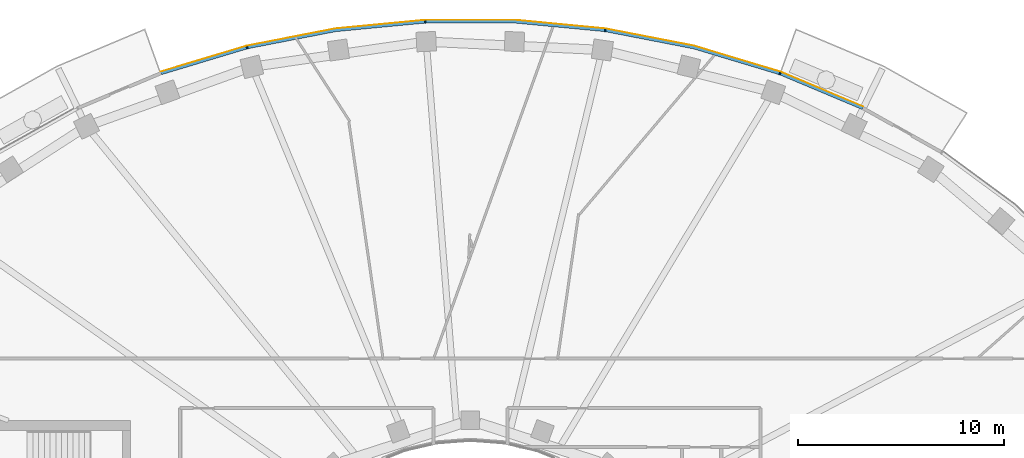
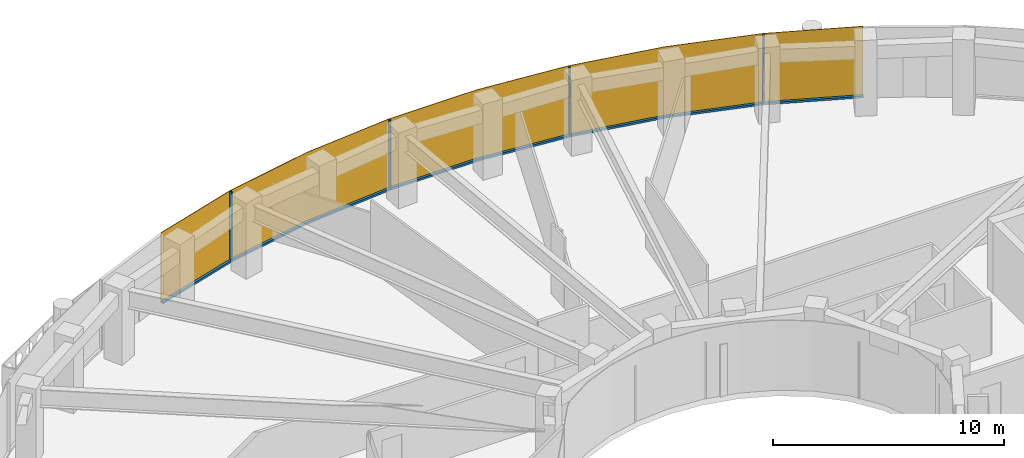
# One storey, part 12 of 15: 9 members, 1 curtain wall.
"""IFC4 building model written with IfcOpenShell, lengths in metres."""

import ifcopenshell
import ifcopenshell.guid

model = None  # the IFC model being written
_history = None  # IfcOwnerHistory: only IFC2X3 demands one
_inside = {}  # id of a spatial element -> (the spatial element, [elements in it])
_under = {}  # id of a project, library or spatial element -> (it, [spatial elements below it])
_declared = {}  # id of a project -> (the project, [libraries it declares])
_typed = {}  # id of a type object -> (the type object, [elements of that type])
_made_of = {}  # id of a material, layer set ... -> (it, [elements and type objects made of it])


def new_model(schema):
    """Start an empty IFC model of exactly this schema.

    Asked for "IFC4X3", IfcOpenShell would pick the latest addendum, in which some entities
    have other attributes; the version numbers below select the first issue.
    IFC2X3 requires an IfcOwnerHistory on every rooted entity: one is made here for all.
    """
    global model, _history
    if schema == "IFC4X3":
        model = ifcopenshell.file(schema_version=(4, 3, 0, 0))
    else:
        model = ifcopenshell.file(schema=schema)
    _inside.clear()
    _under.clear()
    _declared.clear()
    _typed.clear()
    _made_of.clear()
    _history = None
    if model.schema == "IFC2X3":
        org = make("IfcOrganization", Name="unknown")
        user = make(
            "IfcPersonAndOrganization",
            ThePerson=make("IfcPerson", FamilyName="unknown"),
            TheOrganization=org,
        )
        app = make(
            "IfcApplication",
            ApplicationDeveloper=org,
            Version="unknown",
            ApplicationFullName="unknown",
            ApplicationIdentifier="unknown",
        )
        _history = make(
            "IfcOwnerHistory",
            OwningUser=user,
            OwningApplication=app,
            ChangeAction="ADDED",
            CreationDate=0,
        )
    return model


def make(cls, **values):
    """One entity of the class cls with the attributes given. An attribute that is None is left unset."""
    return model.create_entity(
        cls, **{name: value for name, value in values.items() if value is not None}
    )


def rooted(cls, **values):
    """An entity with a GlobalId (a new one), such as an element, a storey or a relation."""
    return make(cls, GlobalId=ifcopenshell.guid.new(), OwnerHistory=_history, **values)


def si_unit(unit_type, name, prefix=None):
    """IfcSIUnit, for example si_unit("LENGTHUNIT", "METRE", prefix="MILLI")."""
    return make("IfcSIUnit", UnitType=unit_type, Prefix=prefix, Name=name)


def assignment(units):
    """IfcUnitAssignment: the units of a project."""
    return None if units is None else make("IfcUnitAssignment", Units=units)


def point(xyz):
    """IfcCartesianPoint."""
    return None if xyz is None else make("IfcCartesianPoint", Coordinates=xyz)


def direction(xyz):
    """IfcDirection."""
    return None if xyz is None else make("IfcDirection", DirectionRatios=xyz)


def frame(location, z_axis=None, x_axis=None):
    """IfcAxis2Placement3D, a coordinate frame: its origin and axes. An axis left out is left unset."""
    return make(
        "IfcAxis2Placement3D",
        Location=point(location),
        Axis=direction(z_axis),
        RefDirection=direction(x_axis),
    )


def frame_2d(location, x_axis=None):
    """IfcAxis2Placement2D, a coordinate frame in the plane: its origin and x axis."""
    return make(
        "IfcAxis2Placement2D", Location=point(location), RefDirection=direction(x_axis)
    )


def origin():
    """The frame at (0, 0, 0) with its axes left unset."""
    return frame((0.0, 0.0, 0.0))


def origin_2d():
    """The frame at (0, 0) in the plane with its x axis left unset."""
    return frame_2d((0.0, 0.0))


def place(relative_to, where):
    """IfcLocalPlacement: puts the frame where relative to a parent placement (None: the world)."""
    return make(
        "IfcLocalPlacement", PlacementRelTo=relative_to, RelativePlacement=where
    )


def context(
    kind, dimensions, precision=None, world=None, true_north=None, identifier=None
):
    """IfcGeometricRepresentationContext, for example the 3D "Model" context."""
    return make(
        "IfcGeometricRepresentationContext",
        ContextIdentifier=identifier,
        ContextType=kind,
        CoordinateSpaceDimension=dimensions,
        Precision=precision,
        WorldCoordinateSystem=world,
        TrueNorth=true_north,
    )


def subcontext(parent, identifier, kind, view, scale=None):
    """IfcGeometricRepresentationSubContext, for example "Body" below "Model"."""
    return make(
        "IfcGeometricRepresentationSubContext",
        ContextIdentifier=identifier,
        ContextType=kind,
        ParentContext=parent,
        TargetScale=scale,
        TargetView=view,
    )


def project(units=None, contexts=None):
    """IfcProject with its units and contexts."""
    return rooted(
        "IfcProject",
        Name="project",
        RepresentationContexts=contexts,
        UnitsInContext=assignment(units),
    )


def spatial(cls, under=None, at=None, **own):
    """A site, building, storey or space (cls), placed at a placement, below another one or the project."""
    s = rooted(cls, ObjectPlacement=at, **own)
    if under is not None:
        _under.setdefault(under.id(), (under, []))[1].append(s)
    return s


def polyline(points):
    """IfcPolyline through the points."""
    return make("IfcPolyline", Points=[point(p) for p in points])


def profile(cls, at=None, kind="AREA", **sizes):
    """A parametric profile (cls). Its sizes go by their IFC names, for example OverallWidth=200.0."""
    return make(cls, ProfileType=kind, Position=at, **sizes)


def rectangle(**sizes):
    """IfcRectangleProfileDef."""
    return profile("IfcRectangleProfileDef", **sizes)


def outline(outer, holes=None, kind="AREA"):
    """IfcArbitraryClosedProfileDef: a profile drawn as a closed curve; with holes, ...WithVoids."""
    if holes is None:
        return make("IfcArbitraryClosedProfileDef", ProfileType=kind, OuterCurve=outer)
    return make(
        "IfcArbitraryProfileDefWithVoids",
        ProfileType=kind,
        OuterCurve=outer,
        InnerCurves=holes,
    )


def extrude(swept, where, along, depth):
    """IfcExtrudedAreaSolid: the profile swept, set in the frame where, extruded along a direction by depth."""
    return make(
        "IfcExtrudedAreaSolid",
        SweptArea=swept,
        Position=where,
        ExtrudedDirection=direction(along),
        Depth=depth,
    )


def shape(context_of_items, identifier, shape_type, items):
    """IfcShapeRepresentation: the items that make up one representation, for example the "Body"."""
    return make(
        "IfcShapeRepresentation",
        ContextOfItems=context_of_items,
        RepresentationIdentifier=identifier,
        RepresentationType=shape_type,
        Items=items,
    )


def material(Name=None, Category=None):
    """IfcMaterial."""
    return make("IfcMaterial", Name=Name, Category=Category)


def layer(
    of_material, thickness, ventilated=None, Name=None, Category=None, Priority=None
):
    """IfcMaterialLayer: one layer of a wall or slab, of a material (None: an air gap)."""
    return make(
        "IfcMaterialLayer",
        Material=of_material,
        LayerThickness=thickness,
        IsVentilated=ventilated,
        Name=Name,
        Category=Category,
        Priority=Priority,
    )


def layer_set(layers, Name=None):
    """IfcMaterialLayerSet."""
    return make("IfcMaterialLayerSet", MaterialLayers=layers, LayerSetName=Name)


def material_profile(
    of_material, cross_section, Name=None, Category=None, Priority=None
):
    """IfcMaterialProfile: a cross section and its material."""
    return make(
        "IfcMaterialProfile",
        Name=Name,
        Material=of_material,
        Profile=cross_section,
        Priority=Priority,
        Category=Category,
    )


def profile_set(profiles, Name=None, composite=None):
    """IfcMaterialProfileSet."""
    return make(
        "IfcMaterialProfileSet",
        Name=Name,
        MaterialProfiles=profiles,
        CompositeProfile=composite,
    )


def made_of(thing, what):
    """Note that an element or type object is made of a material, layer set ...; save() writes the relation."""
    if what is not None:
        _made_of.setdefault(what.id(), (what, []))[1].append(thing)
    return thing


def type_object(cls, material=None, **own):
    """A type object (cls), such as IfcWallType, which elements share."""
    return made_of(rooted(cls, **own), material)


def element(
    cls,
    number,
    at=None,
    inside=None,
    cuts=None,
    type_object=None,
    material=None,
    context=None,
    identifier="Body",
    shape_type=None,
    held_by="IfcProductDefinitionShape",
    body=None,
    shapes=None,
    **own,
):
    """One element of the class cls, such as IfcWall. Its Tag is "e" and its number.

    at: its placement. inside: the storey or other place that contains it. cuts: it is an
    opening in that element (IfcRelVoidsElement). A single representation is given by context,
    identifier, shape_type and body (its items); several are given by shapes. held_by: the class
    of the entity that holds the representations. save() writes the other relations.
    """
    e = rooted(cls, Tag="e%d" % number, ObjectPlacement=at, **own)
    if body is not None:
        shapes = [shape(context, identifier, shape_type, body)]
    if shapes is not None:
        e.Representation = make(held_by, Representations=shapes)
    if inside is not None:
        _inside.setdefault(inside.id(), (inside, []))[1].append(e)
    if cuts is not None:
        rooted(
            "IfcRelVoidsElement", RelatingBuildingElement=cuts, RelatedOpeningElement=e
        )
    if type_object is not None:
        _typed.setdefault(type_object.id(), (type_object, []))[1].append(e)
    return made_of(e, material)


def aggregate(whole, parts):
    """IfcRelAggregates: a whole, such as a stair, and the parts it consists of."""
    return rooted("IfcRelAggregates", RelatingObject=whole, RelatedObjects=parts)


def save(model, path):
    """Write the relations noted so far, then the file.

    IfcRelAggregates (storeys below a building ...), IfcRelContainedInSpatialStructure (elements
    in a storey), IfcRelDefinesByType, IfcRelAssociatesMaterial and IfcRelDeclares: one each for
    every whole, place, type object, material and project.
    """
    for whole, parts in _under.values():
        aggregate(whole, parts)
    for where, things in _inside.values():
        rooted(
            "IfcRelContainedInSpatialStructure",
            RelatedElements=things,
            RelatingStructure=where,
        )
    for kind, things in _typed.values():
        rooted("IfcRelDefinesByType", RelatedObjects=things, RelatingType=kind)
    for what, things in _made_of.values():
        rooted("IfcRelAssociatesMaterial", RelatedObjects=things, RelatingMaterial=what)
    for by, libraries in _declared.values():
        rooted("IfcRelDeclares", RelatingContext=by, RelatedDefinitions=libraries)
    model.write(path)


model = new_model("IFC4")

# Units and contexts
model_context = context("Model", 3, precision=1e-05, world=origin(), true_north=direction((0.0, 1.0)))
body_context = subcontext(model_context, "Body", "Model", "MODEL_VIEW")
ifc_project = project(units=[si_unit("LENGTHUNIT", "METRE"), si_unit("AREAUNIT", "SQUARE_METRE"), si_unit("VOLUMEUNIT", "CUBIC_METRE"), si_unit("PLANEANGLEUNIT", "RADIAN"), si_unit("MASSUNIT", "GRAM", prefix="KILO")], contexts=[model_context])

# Member
ifc_material_1 = material(Name="Aluminium 6063-T6 black anodised", Category="aluminium")
ifc_material_profile = material_profile(ifc_material_1, rectangle(XDim=0.1201171875, YDim=0.06005859375, at=origin_2d()), Name="120x60")
ifc_profile_set = profile_set([ifc_material_profile], Name="Aluminium 6063-T6 black anodised")
member_type_1 = type_object("IfcMemberType", Name="ENV-MULLION-A-120", PredefinedType="MULLION", material=ifc_profile_set)
site_placement = place(None, origin())
building_placement = place(site_placement, origin())
storey_placement = place(building_placement, frame((0.0, 0.0, 295.0)))
member_1_placement = place(storey_placement, frame((15.0341796875, 25.34375, 0.0), z_axis=(0.0, 0.0, 1.0), x_axis=(-0.338379256581, -0.941009818608, 0.0)))
member_1 = element("IfcMember", 1, at=member_1_placement, type_object=member_type_1, Name="Mullion A radial 09", PredefinedType="MULLION", context=body_context, shape_type="SweptSolid", body=[
    extrude(rectangle(XDim=0.1201171875, YDim=0.06005859375, at=origin_2d()), origin(), (0.0, 0.0, 1.0), 3.699951171875),
])

member_2_placement = place(storey_placement, frame((6.54638671875, 27.440185546875, 0.0), z_axis=(0.0, 0.0, 1.0), x_axis=(-0.143082012705, -0.989710835366, 0.0)))
member_2 = element("IfcMember", 2, at=member_2_placement, type_object=member_type_1, Name="Mullion A radial 11", PredefinedType="MULLION", context=body_context, shape_type="SweptSolid", body=[
    extrude(rectangle(XDim=0.1201171875, YDim=0.06005859375, at=origin_2d()), origin(), (0.0, 0.0, 1.0), 3.699951171875),
])

member_3_placement = place(storey_placement, frame((-2.188720703125, 27.856201171875, 0.0), z_axis=(0.0, 0.0, 1.0), x_axis=(0.047557873581, -0.998868484166, 0.0)))
member_3 = element("IfcMember", 3, at=member_3_placement, type_object=member_type_1, Name="Mullion A radial 13", PredefinedType="MULLION", context=body_context, shape_type="SweptSolid", body=[
    extrude(rectangle(XDim=0.1201171875, YDim=0.06005859375, at=origin_2d()), origin(), (0.0, 0.0, 1.0), 3.699951171875),
])

member_4_placement = place(storey_placement, frame((-10.84326171875, 26.60498046875, 0.0), z_axis=(0.0, 0.0, 1.0), x_axis=(0.239799081534, -0.970822538106, 0.0)))
member_4 = element("IfcMember", 4, at=member_4_placement, type_object=member_type_1, Name="Mullion A radial 15", PredefinedType="MULLION", context=body_context, shape_type="SweptSolid", body=[
    extrude(rectangle(XDim=0.1201171875, YDim=0.06005859375, at=origin_2d()), origin(), (0.0, 0.0, 1.0), 3.699951171875),
])

ifc_material_2 = material(Name="Aluminium 6063-T6 black anodised", Category="aluminium")
member_type_2 = type_object("IfcMemberType", Name="ENV-TRANSOM-A", PredefinedType="USERDEFINED", material=ifc_material_2)
member_5_placement = place(storey_placement, origin())
member_5 = element("IfcMember", 5, at=member_5_placement, type_object=member_type_2, Name="Transom A radial 08-09", ObjectType="TRANSOM", PredefinedType="USERDEFINED", context=body_context, shape_type="SweptSolid", body=[
    extrude(outline(polyline([(19.07568359375, 23.709228515625), (15.080322265625, 25.389404296875), (15.03955078125, 25.276123046875), (19.02294921875, 23.601318359375), (19.07568359375, 23.709228515625)])), origin(), (0.0, 0.0, 1.0), 0.10009765625),
])

member_6_placement = place(storey_placement, origin())
member_6 = element("IfcMember", 6, at=member_6_placement, type_object=member_type_2, Name="Transom A radial 09-11", ObjectType="TRANSOM", PredefinedType="USERDEFINED", context=body_context, shape_type="SweptSolid", body=[
    extrude(outline(polyline([(15.027587890625, 25.408203125), (10.857666015625, 26.6630859375), (6.58251953125, 27.494140625), (6.5654296875, 27.375244140625), (10.828857421875, 26.54638671875), (14.987060546875, 25.295166015625), (15.027587890625, 25.408203125)])), origin(), (0.0, 0.0, 1.0), 0.10009765625),
])

member_7_placement = place(storey_placement, origin())
member_7 = element("IfcMember", 7, at=member_7_placement, type_object=member_type_2, Name="Transom A radial 11-13", ObjectType="TRANSOM", PredefinedType="USERDEFINED", context=body_context, shape_type="SweptSolid", body=[
    extrude(outline(polyline([(6.527099609375, 27.502197265625), (2.191650390625, 27.916015625), (-2.163818359375, 27.916015625), (-2.157958984375, 27.7958984375), (2.185791015625, 27.7958984375), (6.510009765625, 27.38330078125), (6.527099609375, 27.502197265625)])), origin(), (0.0, 0.0, 1.0), 0.10009765625),
])

member_8_placement = place(storey_placement, origin())
member_8 = element("IfcMember", 8, at=member_8_placement, type_object=member_type_2, Name="Transom A radial 13-15", ObjectType="TRANSOM", PredefinedType="USERDEFINED", context=body_context, shape_type="SweptSolid", body=[
    extrude(outline(polyline([(-2.219482421875, 27.913330078125), (-6.55517578125, 27.49951171875), (-10.830078125, 26.66845703125), (-10.80126953125, 26.552001953125), (-6.537841796875, 27.380615234375), (-2.2138671875, 27.793212890625), (-2.219482421875, 27.913330078125)])), origin(), (0.0, 0.0, 1.0), 0.10009765625),
])

member_9_placement = place(storey_placement, origin())
member_9 = element("IfcMember", 9, at=member_9_placement, type_object=member_type_2, Name="Transom A radial 15-16", ObjectType="TRANSOM", PredefinedType="USERDEFINED", context=body_context, shape_type="SweptSolid", body=[
    extrude(outline(polyline([(-10.884521484375, 26.655029296875), (-15.035400390625, 25.406005859375), (-14.99462890625, 25.292724609375), (-10.855712890625, 26.53857421875), (-10.884521484375, 26.655029296875)])), origin(), (0.0, 0.0, 1.0), 0.10009765625),
])

# Site, building, storey
site = spatial("IfcSite", under=ifc_project, at=site_placement, CompositionType="ELEMENT")
building = spatial("IfcBuilding", under=site, at=building_placement, Name="Noorbagh Ring Tower", CompositionType="ELEMENT")
storey = spatial("IfcBuildingStorey", under=building, at=storey_placement, Name="L63", CompositionType="ELEMENT", Elevation=295.0)

# Curtain wall
ifc_material_3 = material(Name="Glass dark tinted laminated", Category="glass")
ifc_layer = layer(ifc_material_3, 0.031982421875)
ifc_layer_set = layer_set([ifc_layer], Name="Glass dark tinted laminated")
curtain_wall_type = type_object("IfcCurtainWallType", Name="ENV-CW-A", PredefinedType="NOTDEFINED", material=ifc_layer_set)
curtain_wall_placement = place(storey_placement, origin())
curtain_wall = element("IfcCurtainWall", 10, at=curtain_wall_placement, inside=storey, type_object=curtain_wall_type, Name="Curtain wall A R08", PredefinedType="NOTDEFINED", context=body_context, shape_type="SweptSolid", body=[
    extrude(outline(polyline([(19.08984375, 23.738037109375), (15.065185546875, 25.430419921875), (10.865234375, 26.6943359375), (6.559814453125, 27.53125), (2.193115234375, 27.947998046875), (-2.193115234375, 27.947998046875), (-6.559814453125, 27.53125), (-10.865234375, 26.6943359375), (-15.046142578125, 25.43603515625), (-15.035400390625, 25.406005859375), (-10.857666015625, 26.6630859375), (-6.55517578125, 27.49951171875), (-2.191650390625, 27.916015625), (2.191650390625, 27.916015625), (6.55517578125, 27.49951171875), (10.857666015625, 26.6630859375), (15.054443359375, 25.400146484375), (19.07568359375, 23.709228515625), (19.08984375, 23.738037109375)])), origin(), (0.0, 0.0, 1.0), 3.699951171875),
])

aggregate(curtain_wall, [member_1, member_2, member_3, member_4, member_5, member_6, member_7, member_8, member_9])

save(model, "model.ifc")
